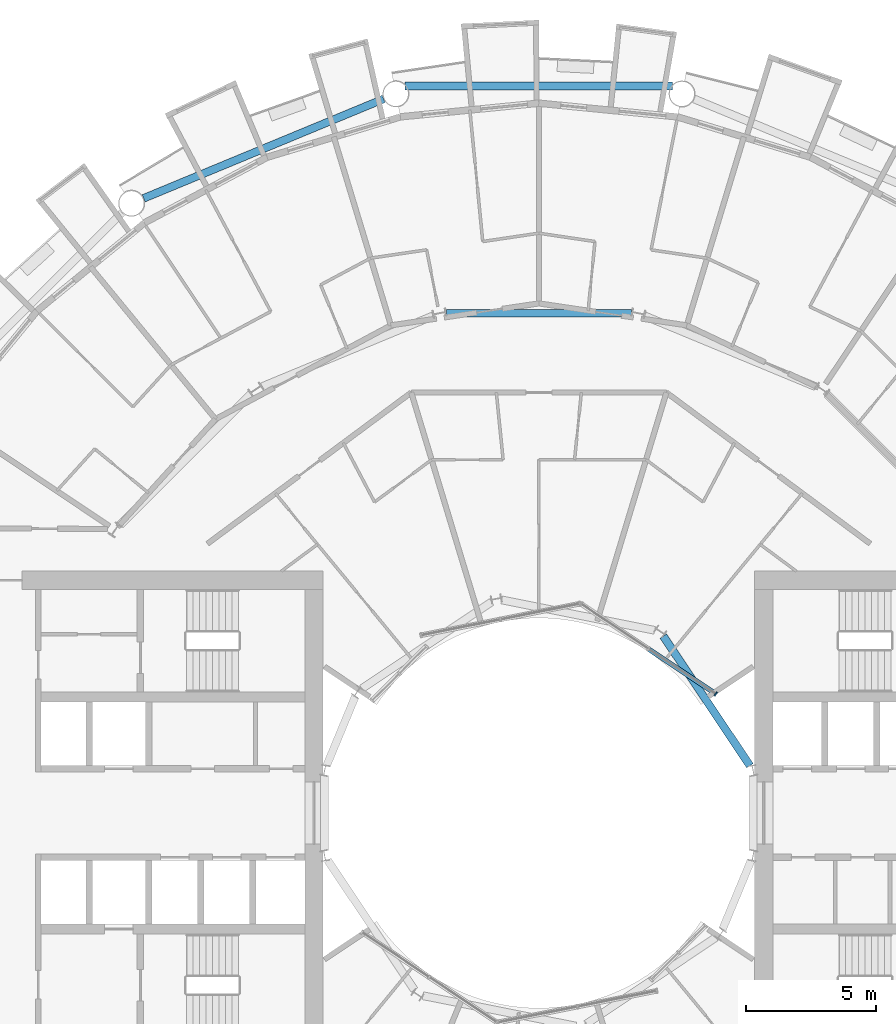
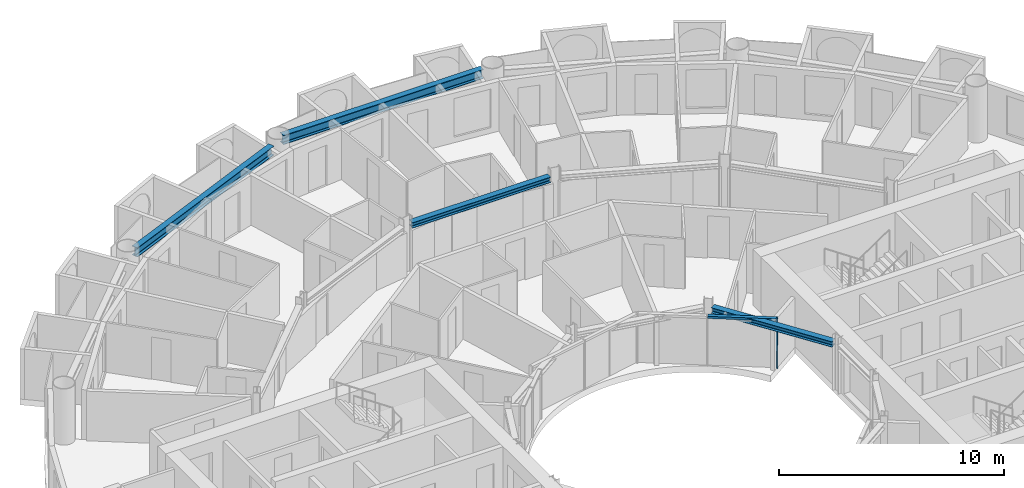
# One storey, part 8 of 26: 4 beams, 2 members, 1 element without a shape of its own.
"""IFC4 building model written with IfcOpenShell, lengths in metres."""

from ifc_helpers import new_model, si_unit, direction, frame, origin, origin_2d, place, context, subcontext, project, spatial, rectangle, i_section, extrude, material, layer, layer_set, material_profile, profile_set, type_object, element, aggregate, save


model = new_model("IFC4")

# Units and contexts
model_context = context("Model", 3, precision=1e-05, world=origin(), true_north=direction((0.0, 1.0)))
body_context = subcontext(model_context, "Body", "Model", "MODEL_VIEW")
ifc_project = project(units=[si_unit("LENGTHUNIT", "METRE"), si_unit("AREAUNIT", "SQUARE_METRE"), si_unit("VOLUMEUNIT", "CUBIC_METRE"), si_unit("PLANEANGLEUNIT", "RADIAN"), si_unit("MASSUNIT", "GRAM", prefix="KILO")], contexts=[model_context])

# Site, building, storey
site_placement = place(None, origin())
site = spatial("IfcSite", under=ifc_project, at=site_placement, CompositionType="ELEMENT")
building_placement = place(site_placement, origin())
building = spatial("IfcBuilding", under=site, at=building_placement, Name="Maasbend Ring Residences", CompositionType="ELEMENT")
storey_placement = place(building_placement, frame((0.0, 0.0, 78.85009765625)))
storey = spatial("IfcBuildingStorey", under=building, at=storey_placement, Name="L22", CompositionType="ELEMENT", Elevation=78.85009765625)

# Curtain wall, members
ifc_material_1 = material(Name="Aluminium and clear glass", Category="aluminium")
ifc_layer = layer(ifc_material_1, 0.179931640625)
ifc_layer_set = layer_set([ifc_layer], Name="CW-W")
curtain_wall_type = type_object("IfcCurtainWallType", Name="CW-W", PredefinedType="NOTDEFINED", material=ifc_layer_set)
curtain_wall_placement = place(storey_placement, origin())
curtain_wall = element("IfcCurtainWall", 1, at=curtain_wall_placement, inside=storey, type_object=curtain_wall_type, Name="Well curtain wall N1", PredefinedType="NOTDEFINED")
ifc_material_2 = material(Name="Aluminium 6063-T6", Category="aluminium")
ifc_material_profile_1 = material_profile(ifc_material_2, rectangle(XDim=0.179931640625, YDim=0.06005859375, at=origin_2d()), Name="AL 180x60")
ifc_profile_set_1 = profile_set([ifc_material_profile_1], Name="Aluminium 6063-T6")
member_type_1 = type_object("IfcMemberType", Name="CWM-W", PredefinedType="MULLION", material=ifc_profile_set_1)
member_1_placement = place(storey_placement, frame((6.805908203125, 4.580810546875, 0.0), z_axis=(0.0, 0.0, 1.0), x_axis=(-0.55557023302, -0.831469612303, 0.0)))
member_1 = element("IfcMember", 2, at=member_1_placement, type_object=member_type_1, Name="Mullion well face", PredefinedType="MULLION", context=body_context, shape_type="SweptSolid", body=[
    extrude(rectangle(XDim=0.179931640625, YDim=0.06005859375, at=origin_2d()), origin(), (0.0, 0.0, 1.0), 2.699951171875),
])
ifc_material_3 = material(Name="Aluminium 6063-T6", Category="aluminium")
ifc_material_profile_2 = material_profile(ifc_material_3, rectangle(XDim=0.179931640625, YDim=0.1201171875, at=origin_2d()), Name="AL 180x120")
ifc_profile_set_2 = profile_set([ifc_material_profile_2], Name="Aluminium 6063-T6")
member_type_2 = type_object("IfcMemberType", Name="CWT-W", PredefinedType="USERDEFINED", material=ifc_profile_set_2)
member_2_placement = place(storey_placement, frame((6.781005859375, 4.59765625, 2.639892578125), z_axis=(-0.831496422459, 0.555530106689, 0.0), x_axis=(-0.555530106689, -0.831496422459, 0.0)))
member_2 = element("IfcMember", 3, at=member_2_placement, type_object=member_type_2, Name="Transom well face", ObjectType="TRANSOM", PredefinedType="USERDEFINED", context=body_context, shape_type="SweptSolid", body=[
    extrude(rectangle(XDim=0.179931640625, YDim=0.1201171875, at=origin_2d()), origin(), (0.0, 0.0, 1.0), 3.053955078125),
])
aggregate(curtain_wall, [member_1, member_2])

# Beams
ifc_material_4 = material(Name="Steel S355J2", Category="steel")
ifc_material_profile_3 = material_profile(ifc_material_4, i_section(OverallWidth=0.300048828125, OverallDepth=0.300048828125, WebThickness=0.010986328125, FlangeThickness=0.01904296875, FilletRadius=0.027099609375, at=origin_2d()), Name="HEB 300")
ifc_profile_set_3 = profile_set([ifc_material_profile_3], Name="Steel S355J2")
beam_type_1 = type_object("IfcBeamType", Name="Corridor ring beam HEB 300", PredefinedType="BEAM", material=ifc_profile_set_3)
beam_1_placement = place(storey_placement, frame((3.556640625, 19.223388671875, 2.5498046875), z_axis=(-1.0, 0.0, 0.0), x_axis=(0.0, -1.0, 0.0)))
element("IfcBeam", 4, at=beam_1_placement, inside=storey, type_object=beam_type_1, Name="Corridor ring beam", PredefinedType="BEAM", context=body_context, shape_type="SweptSolid", body=[
    extrude(i_section(OverallWidth=0.300048828125, OverallDepth=0.300048828125, WebThickness=0.010986328125, FlangeThickness=0.01904296875, FilletRadius=0.027099609375, at=origin_2d()), origin(), (0.0, 0.0, 1.0), 7.11328125),
])
ifc_material_5 = material(Name="Steel S355J2", Category="steel")
ifc_material_profile_4 = material_profile(ifc_material_5, i_section(OverallWidth=0.300048828125, OverallDepth=0.5, WebThickness=0.014404296875, FlangeThickness=0.028076171875, FilletRadius=0.027099609375, at=origin_2d()), Name="HEB 500")
ifc_profile_set_4 = profile_set([ifc_material_profile_4], Name="Steel S355J2")
beam_type_2 = type_object("IfcBeamType", Name="Spandrel ring beam HEB 500", PredefinedType="SPANDREL", material=ifc_profile_set_4)
beam_2_placement = place(storey_placement, frame((5.1435546875, 27.9580078125, 2.449951171875), z_axis=(-1.0, 0.0, 0.0), x_axis=(0.0, -1.0, 0.0)))
element("IfcBeam", 5, at=beam_2_placement, inside=storey, type_object=beam_type_2, Name="Spandrel ring beam", PredefinedType="SPANDREL", context=body_context, shape_type="SweptSolid", body=[
    extrude(i_section(OverallWidth=0.300048828125, OverallDepth=0.5, WebThickness=0.014404296875, FlangeThickness=0.028076171875, FilletRadius=0.027099609375, at=origin_2d()), origin(), (0.0, 0.0, 1.0), 10.287109375),
])
beam_3_placement = place(storey_placement, frame((-5.970703125, 27.463623046875, 2.449951171875), z_axis=(-0.923886337442, -0.382667003395, 0.0), x_axis=(0.382667003395, -0.923886337442, 0.0)))
element("IfcBeam", 6, at=beam_3_placement, inside=storey, type_object=beam_type_2, Name="Spandrel ring beam", PredefinedType="SPANDREL", context=body_context, shape_type="SweptSolid", body=[
    extrude(i_section(OverallWidth=0.300048828125, OverallDepth=0.5, WebThickness=0.014404296875, FlangeThickness=0.028076171875, FilletRadius=0.027099609375, at=origin_2d()), origin(), (0.0, 0.0, 1.0), 9.9873046875),
])
ifc_material_6 = material(Name="Steel S355J2", Category="steel")
ifc_material_profile_5 = material_profile(ifc_material_6, i_section(OverallWidth=0.300048828125, OverallDepth=0.300048828125, WebThickness=0.010986328125, FlangeThickness=0.01904296875, FilletRadius=0.027099609375, at=origin_2d()), Name="HEB 300")
ifc_profile_set_5 = profile_set([ifc_material_profile_5], Name="Steel S355J2")
beam_type_3 = type_object("IfcBeamType", Name="Well edge beam HEB 300", PredefinedType="BEAM", material=ifc_profile_set_5)
beam_4_placement = place(storey_placement, frame((8.118408203125, 1.81884765625, 2.5498046875), z_axis=(-0.555592533493, 0.83145471117, 0.0), x_axis=(-0.83145471117, -0.555592533493, 0.0)))
element("IfcBeam", 7, at=beam_4_placement, inside=storey, type_object=beam_type_3, Name="Well edge beam", PredefinedType="BEAM", context=body_context, shape_type="SweptSolid", body=[
    extrude(i_section(OverallWidth=0.300048828125, OverallDepth=0.300048828125, WebThickness=0.010986328125, FlangeThickness=0.01904296875, FilletRadius=0.027099609375, at=origin_2d()), origin(), (0.0, 0.0, 1.0), 5.995849609375),
])

save(model, "model.ifc")
